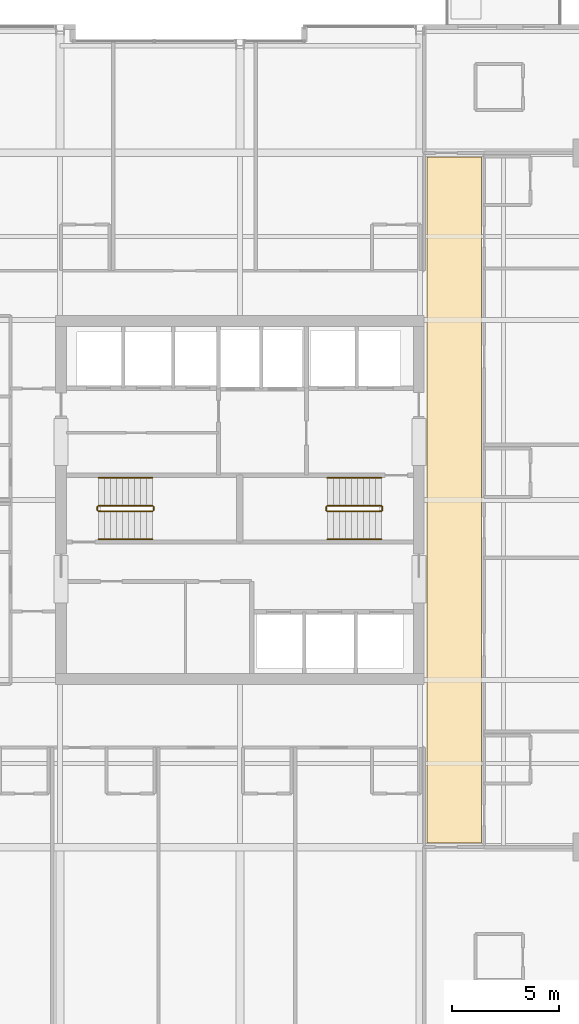
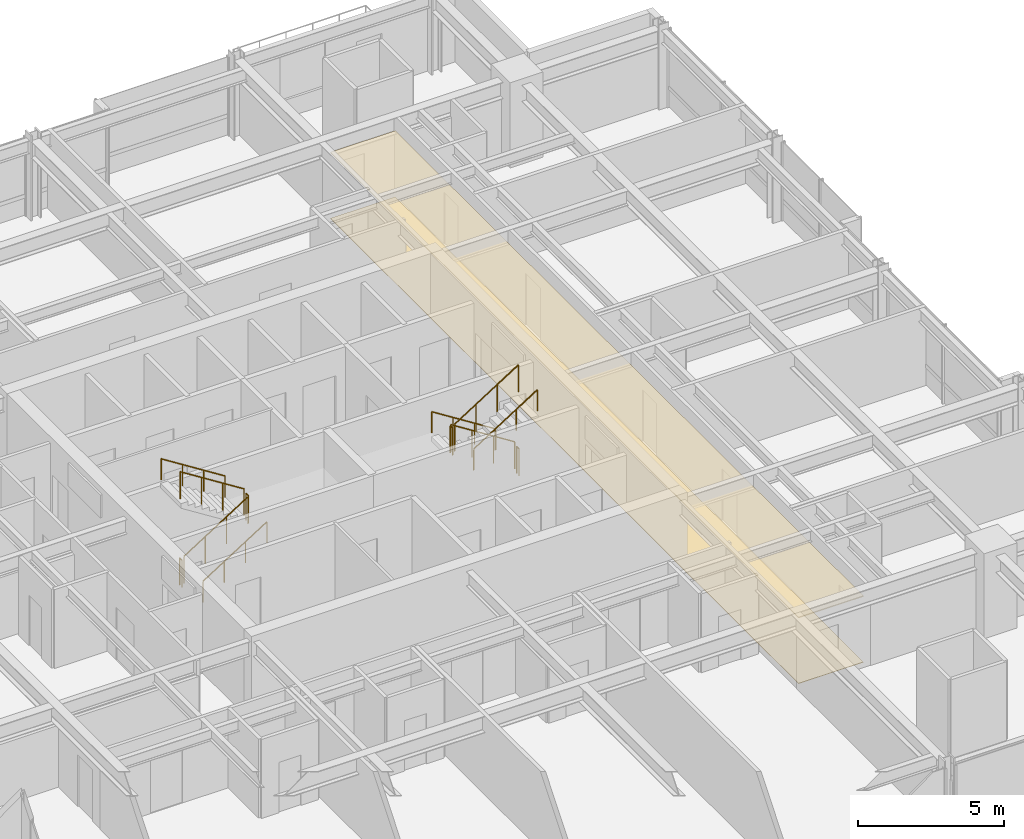
# One storey, part 32 of 33: 12 railings, 2 coverings.
"""IFC4 building model written with IfcOpenShell, lengths in metres."""

from ifc_helpers import new_model, si_unit, direction, frame, origin, origin_2d, place, context, subcontext, project, spatial, polyline, circle, outline, extrude, material, layer, layer_set, type_object, element, save


model = new_model("IFC4")

# Units and contexts
model_context = context("Model", 3, precision=1e-05, world=origin(), true_north=direction((0.0, 1.0)))
body_context = subcontext(model_context, "Body", "Model", "MODEL_VIEW")
ifc_project = project(units=[si_unit("LENGTHUNIT", "METRE"), si_unit("AREAUNIT", "SQUARE_METRE"), si_unit("VOLUMEUNIT", "CUBIC_METRE"), si_unit("PLANEANGLEUNIT", "RADIAN"), si_unit("MASSUNIT", "GRAM", prefix="KILO")], contexts=[model_context])

# Site, building, storey
site_placement = place(None, origin())
site = spatial("IfcSite", under=ifc_project, at=site_placement, CompositionType="ELEMENT")
building_placement = place(site_placement, origin())
building = spatial("IfcBuilding", under=site, at=building_placement, Name="Drelvath Grand Hotel", CompositionType="ELEMENT")
storey_placement = place(building_placement, frame((0.0, 0.0, 171.699951171875)))
storey = spatial("IfcBuildingStorey", under=building, at=storey_placement, Name="L44", CompositionType="ELEMENT", Elevation=171.699951171875)

# Railings
ifc_material_1 = material(Name="Painted Steel S275", Category="steel")
railing_type_1 = type_object("IfcRailingType", Name="Core Stair Wall Handrail 900", PredefinedType="HANDRAIL", material=ifc_material_1)
railing_1_placement = place(storey_placement, frame((-6.60009765625, 25.169921875, 0.177490234375)))
element("IfcRailing", 1, at=railing_1_placement, inside=storey, type_object=railing_type_1, Name="L44 ST-1 stair handrail 1", PredefinedType="HANDRAIL", context=body_context, shape_type="SweptSolid", body=[
    extrude(circle(Radius=0.02392578125, at=origin_2d()), frame((0.0, 0.0, 0.8759765625), z_axis=(0.84456994832, 0.0, 0.535445237532), x_axis=(0.0, 1.0, 0.0)), (0.0, 0.0, 1.0), 2.98388671875),
    extrude(circle(Radius=0.02099609375, at=origin_2d()), origin(), (0.0, 0.0, 1.0), 0.851806640625),
    extrude(circle(Radius=0.02099609375, at=origin_2d()), frame((0.840087890625, 0.0, 0.532470703125)), (0.0, 0.0, 1.0), 0.851806640625),
    extrude(circle(Radius=0.02099609375, at=origin_2d()), frame((1.679931640625, 0.0, 1.065185546875)), (0.0, 0.0, 1.0), 0.851806640625),
    extrude(circle(Radius=0.02099609375, at=origin_2d()), frame((2.52001953125, 0.0, 1.59765625)), (0.0, 0.0, 1.0), 0.851806640625),
])
railing_2_placement = place(storey_placement, frame((-4.080078125, 28.030029296875, 1.95263671875)))
element("IfcRailing", 2, at=railing_2_placement, inside=storey, type_object=railing_type_1, Name="L44 ST-1 stair handrail 2", PredefinedType="HANDRAIL", context=body_context, shape_type="SweptSolid", body=[
    extrude(circle(Radius=0.02392578125, at=origin_2d()), frame((0.0, 0.0, 0.8759765625), z_axis=(-0.84460694969, 0.0, 0.535386869969), x_axis=(0.0, -1.0, 0.0)), (0.0, 0.0, 1.0), 2.983642578125),
    extrude(circle(Radius=0.02099609375, at=origin_2d()), origin(), (0.0, 0.0, 1.0), 0.851806640625),
    extrude(circle(Radius=0.02099609375, at=origin_2d()), frame((-0.840087890625, 0.0, 0.532470703125)), (0.0, 0.0, 1.0), 0.851806640625),
    extrude(circle(Radius=0.02099609375, at=origin_2d()), frame((-1.679931640625, 0.0, 1.06494140625)), (0.0, 0.0, 1.0), 0.851806640625),
    extrude(circle(Radius=0.02099609375, at=origin_2d()), frame((-2.52001953125, 0.0, 1.597412109375)), (0.0, 0.0, 1.0), 0.851806640625),
])
railing_3_placement = place(storey_placement, frame((6.60009765625, 28.030029296875, 0.177490234375)))
element("IfcRailing", 3, at=railing_3_placement, inside=storey, type_object=railing_type_1, Name="L44 ST-2 stair handrail 1", PredefinedType="HANDRAIL", context=body_context, shape_type="SweptSolid", body=[
    extrude(circle(Radius=0.02392578125, at=origin_2d()), frame((0.0, 0.0, 0.8759765625), z_axis=(-0.84456994832, 0.0, 0.535445237532), x_axis=(0.0, -1.0, 0.0)), (0.0, 0.0, 1.0), 2.98388671875),
    extrude(circle(Radius=0.02099609375, at=origin_2d()), origin(), (0.0, 0.0, 1.0), 0.851806640625),
    extrude(circle(Radius=0.02099609375, at=origin_2d()), frame((-0.840087890625, 0.0, 0.532470703125)), (0.0, 0.0, 1.0), 0.851806640625),
    extrude(circle(Radius=0.02099609375, at=origin_2d()), frame((-1.679931640625, 0.0, 1.065185546875)), (0.0, 0.0, 1.0), 0.851806640625),
    extrude(circle(Radius=0.02099609375, at=origin_2d()), frame((-2.52001953125, 0.0, 1.59765625)), (0.0, 0.0, 1.0), 0.851806640625),
])
railing_4_placement = place(storey_placement, frame((4.080078125, 25.169921875, 1.95263671875)))
element("IfcRailing", 4, at=railing_4_placement, inside=storey, type_object=railing_type_1, Name="L44 ST-2 stair handrail 2", PredefinedType="HANDRAIL", context=body_context, shape_type="SweptSolid", body=[
    extrude(circle(Radius=0.02392578125, at=origin_2d()), frame((0.0, 0.0, 0.8759765625), z_axis=(0.84460694969, 0.0, 0.535386869969), x_axis=(0.0, 1.0, 0.0)), (0.0, 0.0, 1.0), 2.983642578125),
    extrude(circle(Radius=0.02099609375, at=origin_2d()), origin(), (0.0, 0.0, 1.0), 0.851806640625),
    extrude(circle(Radius=0.02099609375, at=origin_2d()), frame((0.840087890625, 0.0, 0.532470703125)), (0.0, 0.0, 1.0), 0.851806640625),
    extrude(circle(Radius=0.02099609375, at=origin_2d()), frame((1.679931640625, 0.0, 1.06494140625)), (0.0, 0.0, 1.0), 0.851806640625),
    extrude(circle(Radius=0.02099609375, at=origin_2d()), frame((2.52001953125, 0.0, 1.597412109375)), (0.0, 0.0, 1.0), 0.851806640625),
])
railing_type_2 = type_object("IfcRailingType", Name="Core Stair Well Guardrail 1100", PredefinedType="GUARDRAIL", material=ifc_material_1)
railing_5_placement = place(storey_placement, frame((-6.60009765625, 26.469970703125, 0.177490234375)))
element("IfcRailing", 5, at=railing_5_placement, inside=storey, type_object=railing_type_2, Name="L44 ST-1 stair guard 1", PredefinedType="GUARDRAIL", context=body_context, shape_type="SweptSolid", body=[
    extrude(circle(Radius=0.02392578125, at=origin_2d()), frame((0.0, 0.0, 1.1259765625), z_axis=(0.84456994832, 0.0, 0.535445237532), x_axis=(0.0, 1.0, 0.0)), (0.0, 0.0, 1.0), 2.98388671875),
    extrude(circle(Radius=0.02099609375, at=origin_2d()), origin(), (0.0, 0.0, 1.0), 1.101806640625),
    extrude(circle(Radius=0.02099609375, at=origin_2d()), frame((0.840087890625, 0.0, 0.532470703125)), (0.0, 0.0, 1.0), 1.101806640625),
    extrude(circle(Radius=0.02099609375, at=origin_2d()), frame((1.679931640625, 0.0, 1.065185546875)), (0.0, 0.0, 1.0), 1.101806640625),
    extrude(circle(Radius=0.02099609375, at=origin_2d()), frame((2.52001953125, 0.0, 1.59765625)), (0.0, 0.0, 1.0), 1.101806640625),
])
railing_6_placement = place(storey_placement, frame((-4.030029296875, 26.52001953125, 1.775146484375)))
element("IfcRailing", 6, at=railing_6_placement, inside=storey, type_object=railing_type_2, Name="L44 ST-1 stair guard 2", PredefinedType="GUARDRAIL", context=body_context, shape_type="SweptSolid", body=[
    extrude(circle(Radius=0.02392578125, at=origin_2d()), frame((0.0, 0.0, 1.1259765625), z_axis=(0.0, 1.0, 0.0), x_axis=(-1.0, 0.0, 0.0)), (0.0, 0.0, 1.0), 0.159912109375),
    extrude(circle(Radius=0.02099609375, at=origin_2d()), origin(), (0.0, 0.0, 1.0), 1.101806640625),
    extrude(circle(Radius=0.02099609375, at=origin_2d()), frame((0.0, 0.159912109375, 0.0)), (0.0, 0.0, 1.0), 1.101806640625),
])
railing_7_placement = place(storey_placement, frame((-4.080078125, 26.72998046875, 1.95263671875)))
element("IfcRailing", 7, at=railing_7_placement, inside=storey, type_object=railing_type_2, Name="L44 ST-1 stair guard 3", PredefinedType="GUARDRAIL", context=body_context, shape_type="SweptSolid", body=[
    extrude(circle(Radius=0.02392578125, at=origin_2d()), frame((0.0, 0.0, 1.1259765625), z_axis=(-0.84460694969, 0.0, 0.535386869969), x_axis=(0.0, -1.0, 0.0)), (0.0, 0.0, 1.0), 2.983642578125),
    extrude(circle(Radius=0.02099609375, at=origin_2d()), origin(), (0.0, 0.0, 1.0), 1.101806640625),
    extrude(circle(Radius=0.02099609375, at=origin_2d()), frame((-0.840087890625, 0.0, 0.532470703125)), (0.0, 0.0, 1.0), 1.101806640625),
    extrude(circle(Radius=0.02099609375, at=origin_2d()), frame((-1.679931640625, 0.0, 1.06494140625)), (0.0, 0.0, 1.0), 1.101806640625),
    extrude(circle(Radius=0.02099609375, at=origin_2d()), frame((-2.52001953125, 0.0, 1.597412109375)), (0.0, 0.0, 1.0), 1.101806640625),
])
railing_8_placement = place(storey_placement, frame((-6.64990234375, 26.52001953125, 0.0)))
element("IfcRailing", 8, at=railing_8_placement, inside=storey, type_object=railing_type_2, Name="L44 ST-1 stair guard 4", PredefinedType="GUARDRAIL", context=body_context, shape_type="SweptSolid", body=[
    extrude(circle(Radius=0.02392578125, at=origin_2d()), frame((0.0, 0.0, 1.1259765625), z_axis=(0.0, 1.0, 0.0), x_axis=(-1.0, 0.0, 0.0)), (0.0, 0.0, 1.0), 0.159912109375),
    extrude(circle(Radius=0.02099609375, at=origin_2d()), origin(), (0.0, 0.0, 1.0), 1.101806640625),
    extrude(circle(Radius=0.02099609375, at=origin_2d()), frame((0.0, 0.159912109375, 0.0)), (0.0, 0.0, 1.0), 1.101806640625),
])
railing_9_placement = place(storey_placement, frame((6.60009765625, 26.72998046875, 0.177490234375)))
element("IfcRailing", 9, at=railing_9_placement, inside=storey, type_object=railing_type_2, Name="L44 ST-2 stair guard 1", PredefinedType="GUARDRAIL", context=body_context, shape_type="SweptSolid", body=[
    extrude(circle(Radius=0.02392578125, at=origin_2d()), frame((0.0, 0.0, 1.1259765625), z_axis=(-0.84456994832, 0.0, 0.535445237532), x_axis=(0.0, -1.0, 0.0)), (0.0, 0.0, 1.0), 2.98388671875),
    extrude(circle(Radius=0.02099609375, at=origin_2d()), origin(), (0.0, 0.0, 1.0), 1.101806640625),
    extrude(circle(Radius=0.02099609375, at=origin_2d()), frame((-0.840087890625, 0.0, 0.532470703125)), (0.0, 0.0, 1.0), 1.101806640625),
    extrude(circle(Radius=0.02099609375, at=origin_2d()), frame((-1.679931640625, 0.0, 1.065185546875)), (0.0, 0.0, 1.0), 1.101806640625),
    extrude(circle(Radius=0.02099609375, at=origin_2d()), frame((-2.52001953125, 0.0, 1.59765625)), (0.0, 0.0, 1.0), 1.101806640625),
])
railing_10_placement = place(storey_placement, frame((4.030029296875, 26.679931640625, 1.775146484375)))
element("IfcRailing", 10, at=railing_10_placement, inside=storey, type_object=railing_type_2, Name="L44 ST-2 stair guard 2", PredefinedType="GUARDRAIL", context=body_context, shape_type="SweptSolid", body=[
    extrude(circle(Radius=0.02392578125, at=origin_2d()), frame((0.0, 0.0, 1.1259765625), z_axis=(0.0, -1.0, 0.0), x_axis=(1.0, 0.0, 0.0)), (0.0, 0.0, 1.0), 0.159912109375),
    extrude(circle(Radius=0.02099609375, at=origin_2d()), origin(), (0.0, 0.0, 1.0), 1.101806640625),
    extrude(circle(Radius=0.02099609375, at=origin_2d()), frame((0.0, -0.159912109375, 0.0)), (0.0, 0.0, 1.0), 1.101806640625),
])
railing_11_placement = place(storey_placement, frame((4.080078125, 26.469970703125, 1.95263671875)))
element("IfcRailing", 11, at=railing_11_placement, inside=storey, type_object=railing_type_2, Name="L44 ST-2 stair guard 3", PredefinedType="GUARDRAIL", context=body_context, shape_type="SweptSolid", body=[
    extrude(circle(Radius=0.02392578125, at=origin_2d()), frame((0.0, 0.0, 1.1259765625), z_axis=(0.84460694969, 0.0, 0.535386869969), x_axis=(0.0, 1.0, 0.0)), (0.0, 0.0, 1.0), 2.983642578125),
    extrude(circle(Radius=0.02099609375, at=origin_2d()), origin(), (0.0, 0.0, 1.0), 1.101806640625),
    extrude(circle(Radius=0.02099609375, at=origin_2d()), frame((0.840087890625, 0.0, 0.532470703125)), (0.0, 0.0, 1.0), 1.101806640625),
    extrude(circle(Radius=0.02099609375, at=origin_2d()), frame((1.679931640625, 0.0, 1.06494140625)), (0.0, 0.0, 1.0), 1.101806640625),
    extrude(circle(Radius=0.02099609375, at=origin_2d()), frame((2.52001953125, 0.0, 1.597412109375)), (0.0, 0.0, 1.0), 1.101806640625),
])
railing_12_placement = place(storey_placement, frame((6.64990234375, 26.679931640625, 0.0)))
element("IfcRailing", 12, at=railing_12_placement, inside=storey, type_object=railing_type_2, Name="L44 ST-2 stair guard 4", PredefinedType="GUARDRAIL", context=body_context, shape_type="SweptSolid", body=[
    extrude(circle(Radius=0.02392578125, at=origin_2d()), frame((0.0, 0.0, 1.1259765625), z_axis=(0.0, -1.0, 0.0), x_axis=(1.0, 0.0, 0.0)), (0.0, 0.0, 1.0), 0.159912109375),
    extrude(circle(Radius=0.02099609375, at=origin_2d()), origin(), (0.0, 0.0, 1.0), 1.101806640625),
    extrude(circle(Radius=0.02099609375, at=origin_2d()), frame((0.0, -0.159912109375, 0.0)), (0.0, 0.0, 1.0), 1.101806640625),
])

# Coverings
ifc_material_2 = material(Name="Woven Wool Broadloom Carpet")
ifc_layer_1 = layer(ifc_material_2, 0.01806640625)
ifc_layer_set_1 = layer_set([ifc_layer_1], Name="Woven Wool Broadloom Carpet")
covering_type_1 = type_object("IfcCoveringType", Name="Hospitality Broadloom Carpet 18", PredefinedType="FLOORING", material=ifc_layer_set_1)
covering_1_placement = place(storey_placement, origin())
element("IfcCovering", 13, at=covering_1_placement, inside=storey, type_object=covering_type_1, Name="L44 East Spine Carpet", PredefinedType="FLOORING", context=body_context, shape_type="SweptSolid", body=[
    extrude(outline(polyline([(11.280029296875, 11.0), (11.280029296875, 43.0), (8.719970703125, 43.0), (8.719970703125, 11.0), (11.280029296875, 11.0)])), origin(), (0.0, 0.0, 1.0), 0.01806640625),
])
ifc_material_3 = material(Name="Anodised Aluminium Alloy", Category="aluminium")
ifc_layer_2 = layer(ifc_material_3, 0.0400390625)
ifc_layer_set_2 = layer_set([ifc_layer_2], Name="Anodised Aluminium Alloy")
covering_type_2 = type_object("IfcCoveringType", Name="Perforated Metal Corridor Ceiling 40", PredefinedType="CEILING", material=ifc_layer_set_2)
covering_2_placement = place(storey_placement, frame((0.0, 0.0, 2.739990234375)))
element("IfcCovering", 14, at=covering_2_placement, inside=storey, type_object=covering_type_2, Name="L44 East Spine Ceiling", PredefinedType="CEILING", context=body_context, shape_type="SweptSolid", body=[
    extrude(outline(polyline([(11.280029296875, 11.0), (11.280029296875, 43.0), (8.719970703125, 43.0), (8.719970703125, 11.0), (11.280029296875, 11.0)])), origin(), (0.0, 0.0, 1.0), 0.0400390625),
])

save(model, "model.ifc")
